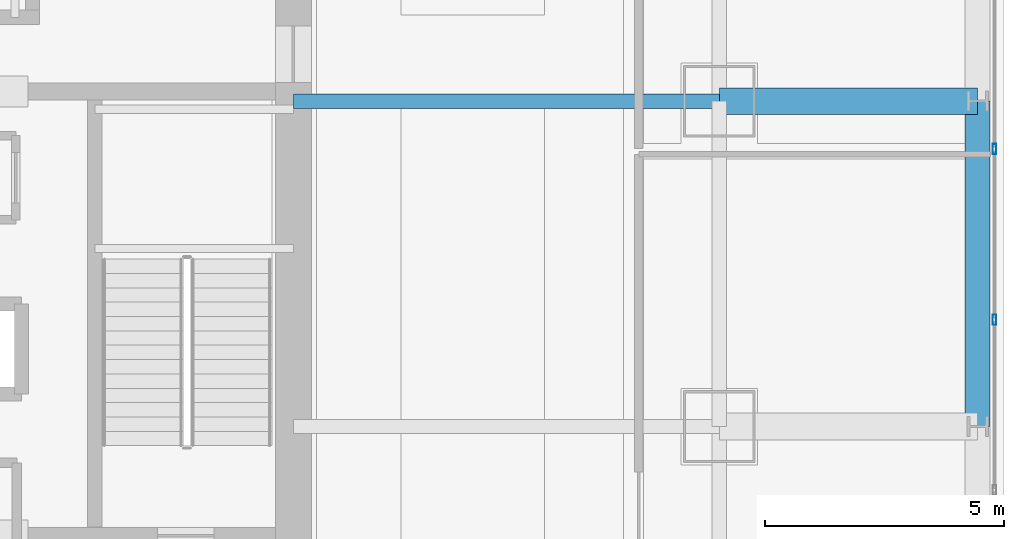
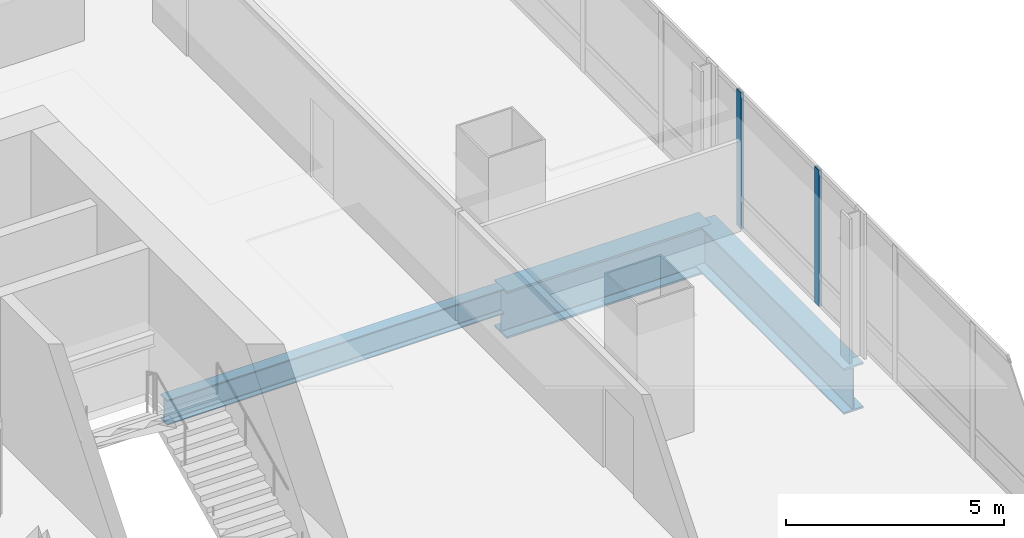
# One storey, part 16 of 34: 3 beams, 2 members, 1 element without a shape of its own.
"""IFC4 building model written with IfcOpenShell, lengths in metres."""

from ifc_helpers import new_model, si_unit, direction, frame, origin, origin_2d, place, context, subcontext, project, spatial, hollow_rectangle, i_section, extrude, material, material_profile, profile_set, type_object, element, aggregate, save


model = new_model("IFC4")

# Units and contexts
model_context = context("Model", 3, precision=1e-05, world=origin(), true_north=direction((0.0, 1.0)))
body_context = subcontext(model_context, "Body", "Model", "MODEL_VIEW")
ifc_project = project(units=[si_unit("LENGTHUNIT", "METRE"), si_unit("AREAUNIT", "SQUARE_METRE"), si_unit("VOLUMEUNIT", "CUBIC_METRE"), si_unit("PLANEANGLEUNIT", "RADIAN"), si_unit("MASSUNIT", "GRAM", prefix="KILO")], contexts=[model_context])

# Site, building, storey
site_placement = place(None, origin())
site = spatial("IfcSite", under=ifc_project, at=site_placement, CompositionType="ELEMENT")
building_placement = place(site_placement, origin())
building = spatial("IfcBuilding", under=site, at=building_placement, Name="Punatoya Terracotta Tower", CompositionType="ELEMENT")
storey_placement = place(building_placement, frame((0.0, 0.0, 101.10009765625)))
storey = spatial("IfcBuildingStorey", under=building, at=storey_placement, Name="L23", CompositionType="ELEMENT", Elevation=101.10009765625)

# Beams
ifc_material_1 = material(Name="Steel S355", Category="steel")
ifc_material_profile_1 = material_profile(ifc_material_1, i_section(OverallWidth=0.300048828125, OverallDepth=0.699951171875, WebThickness=0.01708984375, FlangeThickness=0.031982421875, FilletRadius=0.01806640625, at=origin_2d()))
ifc_profile_set_1 = profile_set([ifc_material_profile_1], Name="Steel S355")
beam_type_1 = type_object("IfcBeamType", Name="BM-PRI-700", PredefinedType="BEAM", material=ifc_profile_set_1)
beam_1_placement = place(storey_placement, frame((10.199951171875, 3.39990234375, -0.590087890625), z_axis=(1.0, 0.0, 0.0), x_axis=(0.0, 1.0, 0.0)))
element("IfcBeam", 1, at=beam_1_placement, inside=storey, type_object=beam_type_1, Name="BM-L23-PR-EE", PredefinedType="BEAM", context=body_context, shape_type="SweptSolid", body=[
    extrude(i_section(OverallWidth=0.300048828125, OverallDepth=0.699951171875, WebThickness=0.01708984375, FlangeThickness=0.031982421875, FilletRadius=0.01806640625, at=origin_2d()), origin(), (0.0, 0.0, 1.0), 8.900146484375),
])
ifc_material_2 = material(Name="Steel S460", Category="steel")
ifc_material_profile_2 = material_profile(ifc_material_2, i_section(OverallWidth=0.56005859375, OverallDepth=1.320068359375, WebThickness=0.035888671875, FlangeThickness=0.054931640625, FilletRadius=0.01806640625, at=origin_2d()))
ifc_profile_set_2 = profile_set([ifc_material_profile_2], Name="Steel S460")
beam_type_2 = type_object("IfcBeamType", Name="BM-TG-BLK", PredefinedType="BEAM", material=ifc_profile_set_2)
beam_2_placement = place(storey_placement, frame((19.10009765625, 3.39990234375, -0.900146484375), z_axis=(1.0, 0.0, 0.0), x_axis=(0.0, 1.0, 0.0)))
element("IfcBeam", 2, at=beam_2_placement, inside=storey, type_object=beam_type_2, Name="BM-L23-CANT-E3", PredefinedType="BEAM", context=body_context, shape_type="SweptSolid", body=[
    extrude(i_section(OverallWidth=0.56005859375, OverallDepth=1.320068359375, WebThickness=0.035888671875, FlangeThickness=0.054931640625, FilletRadius=0.01806640625, at=origin_2d()), origin(), (0.0, 0.0, 1.0), 5.39990234375),
])
ifc_material_profile_3 = material_profile(ifc_material_2, i_section(OverallWidth=0.52001953125, OverallDepth=1.280029296875, WebThickness=0.031982421875, FlangeThickness=0.050048828125, FilletRadius=0.01806640625, at=origin_2d()))
ifc_profile_set_3 = profile_set([ifc_material_profile_3], Name="Steel S460")
beam_type_3 = type_object("IfcBeamType", Name="BM-TG-NCK", PredefinedType="BEAM", material=ifc_profile_set_3)
beam_3_placement = place(storey_placement, frame((24.5, -3.39990234375, -0.880126953125), z_axis=(0.0, 1.0, 0.0), x_axis=(-1.0, 0.0, 0.0)))
element("IfcBeam", 3, at=beam_3_placement, inside=storey, type_object=beam_type_3, Name="BM-L23-PER-E2", PredefinedType="BEAM", context=body_context, shape_type="SweptSolid", body=[
    extrude(i_section(OverallWidth=0.52001953125, OverallDepth=1.280029296875, WebThickness=0.031982421875, FlangeThickness=0.050048828125, FilletRadius=0.01806640625, at=origin_2d()), origin(), (0.0, 0.0, 1.0), 6.7998046875),
])

# Curtain wall, members
ifc_material_3 = material(Name="Aluminium 6063-T6 + Double Low-E Glass", Category="aluminium")
curtain_wall_type = type_object("IfcCurtainWallType", Name="CW-M1", PredefinedType="NOTDEFINED", material=ifc_material_3)
curtain_wall_placement = place(storey_placement, origin())
curtain_wall = element("IfcCurtainWall", 4, at=curtain_wall_placement, inside=storey, type_object=curtain_wall_type, Name="L23 Curtain Wall CW-L23-E05-1", PredefinedType="NOTDEFINED")
ifc_material_4 = material(Name="Aluminium 6063-T6", Category="aluminium")
ifc_material_profile_4 = material_profile(ifc_material_4, hollow_rectangle(XDim=0.074951171875, YDim=0.2099609375, WallThickness=0.00439453125, at=origin_2d()))
ifc_profile_set_4 = profile_set([ifc_material_profile_4], Name="Aluminium 6063-T6")
member_type = type_object("IfcMemberType", Name="CW-MUL-M1", PredefinedType="MULLION", material=ifc_profile_set_4)
member_1_placement = place(storey_placement, frame((24.85009765625, -1.16748046875, 0.0), z_axis=(0.0, 0.0, 1.0), x_axis=(1.0, 0.0, 0.0)))
member_1 = element("IfcMember", 5, at=member_1_placement, type_object=member_type, Name="CW-L23-E05-1 Mullion 04", PredefinedType="MULLION", context=body_context, shape_type="SweptSolid", body=[
    extrude(hollow_rectangle(XDim=0.074951171875, YDim=0.2099609375, WallThickness=0.00439453125, at=origin_2d()), origin(), (0.0, 0.0, 1.0), 3.809814453125),
])
member_2_placement = place(storey_placement, frame((24.85009765625, 2.39990234375, 0.0), z_axis=(0.0, 0.0, 1.0), x_axis=(1.0, 0.0, 0.0)))
member_2 = element("IfcMember", 6, at=member_2_placement, type_object=member_type, Name="CW-L23-E05-1 Mullion 05", PredefinedType="MULLION", context=body_context, shape_type="SweptSolid", body=[
    extrude(hollow_rectangle(XDim=0.074951171875, YDim=0.2099609375, WallThickness=0.00439453125, at=origin_2d()), origin(), (0.0, 0.0, 1.0), 3.809814453125),
])
aggregate(curtain_wall, [member_1, member_2])

save(model, "model.ifc")
